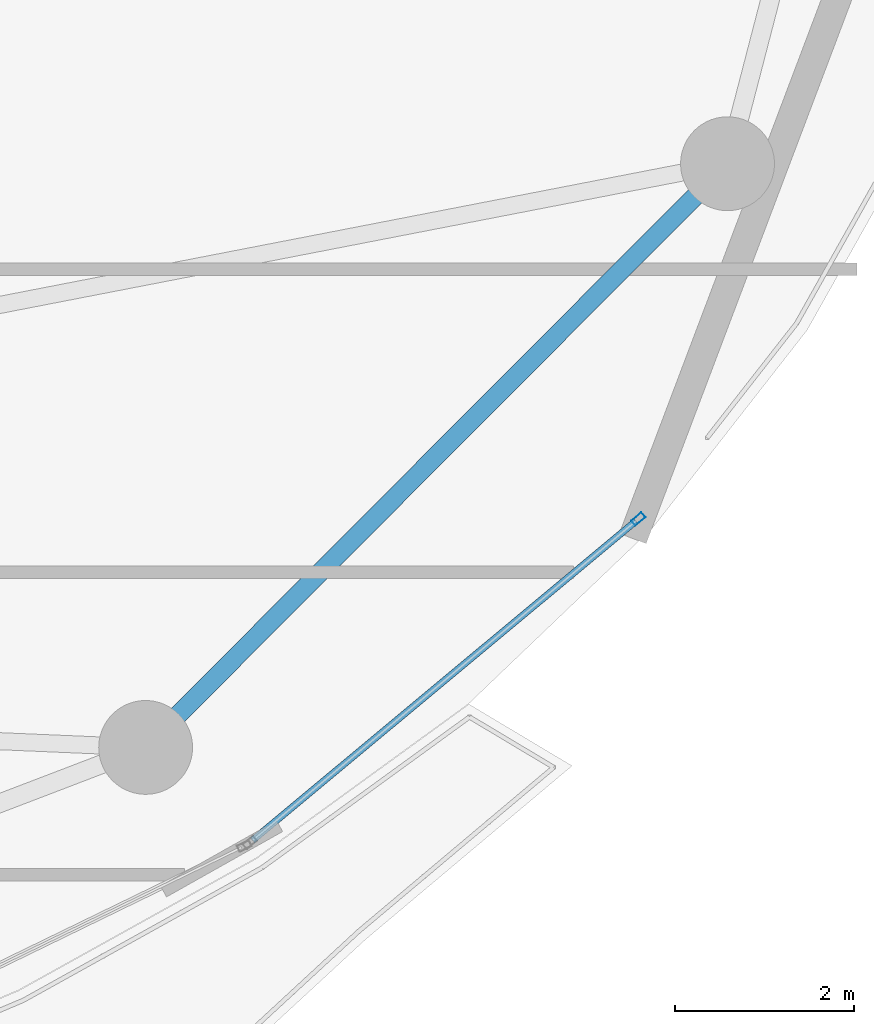
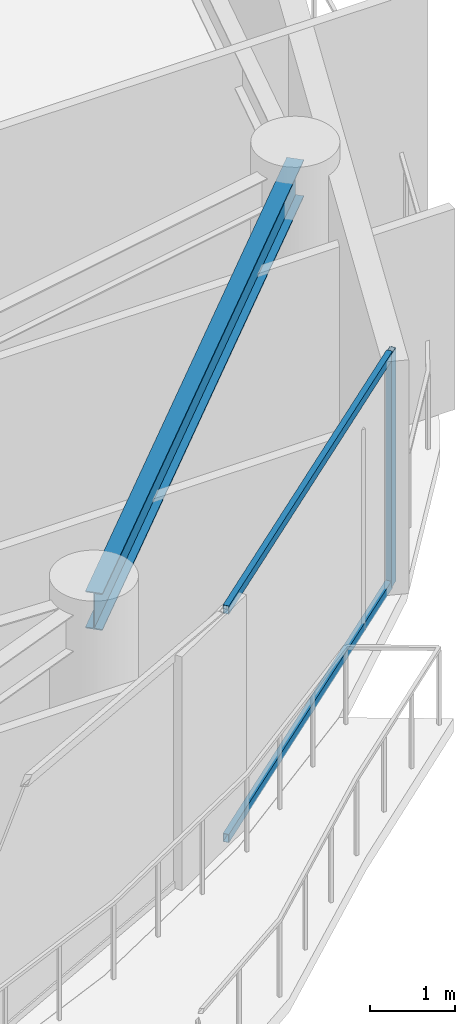
# One storey, part 14 of 31: 3 members, 1 beam, 1 element without a shape of its own.
"""IFC4 building model written with IfcOpenShell, lengths in metres."""

from ifc_helpers import new_model, si_unit, direction, frame, origin, origin_2d, place, context, subcontext, project, spatial, hollow_rectangle, i_section, extrude, material, layer, layer_set, material_profile, profile_set, type_object, element, aggregate, save


model = new_model("IFC4")

# Units and contexts
model_context = context("Model", 3, precision=1e-05, world=origin(), true_north=direction((0.0, 1.0)))
body_context = subcontext(model_context, "Body", "Model", "MODEL_VIEW")
ifc_project = project(units=[si_unit("LENGTHUNIT", "METRE"), si_unit("AREAUNIT", "SQUARE_METRE"), si_unit("VOLUMEUNIT", "CUBIC_METRE"), si_unit("PLANEANGLEUNIT", "RADIAN"), si_unit("MASSUNIT", "GRAM", prefix="KILO")], contexts=[model_context])

# Site, building, storey
site_placement = place(None, origin())
site = spatial("IfcSite", under=ifc_project, at=site_placement, CompositionType="ELEMENT")
building_placement = place(site_placement, origin())
building = spatial("IfcBuilding", under=site, at=building_placement, Name="Kazevale Care Tower and Concert Hall", CompositionType="ELEMENT")
storey_placement = place(building_placement, frame((0.0, 0.0, 210.0)))
storey = spatial("IfcBuildingStorey", under=building, at=storey_placement, Name="L55", CompositionType="ELEMENT", Elevation=210.0)

# Curtain wall, members
ifc_material_1 = material(Name="Aluminium 6063-T6 and Low-E Glass", Category="aluminium")
ifc_layer = layer(ifc_material_1, 0.179931640625)
ifc_layer_set = layer_set([ifc_layer], Name="Aluminium 6063-T6 and Low-E Glass")
curtain_wall_type = type_object("IfcCurtainWallType", Name="Sheltered Concave Balcony Curtain Wall CW-5", PredefinedType="NOTDEFINED", material=ifc_layer_set)
curtain_wall_placement = place(storey_placement, origin())
curtain_wall = element("IfcCurtainWall", 1, at=curtain_wall_placement, inside=storey, type_object=curtain_wall_type, Name="cw:L55:f02", PredefinedType="NOTDEFINED")
ifc_material_2 = material(Name="Aluminium 6063-T6", Category="aluminium")
ifc_material_profile_1 = material_profile(ifc_material_2, hollow_rectangle(XDim=0.074951171875, YDim=0.14990234375, WallThickness=0.00390625, at=origin_2d()), Name="ALU75x150x4")
ifc_profile_set_1 = profile_set([ifc_material_profile_1], Name="Aluminium 6063-T6")
member_type_1 = type_object("IfcMemberType", Name="CW-5 Mullion ALU75x150x4", PredefinedType="MULLION", material=ifc_profile_set_1)
member_1_placement = place(storey_placement, frame((71.76318359375, 25.2060546875, 0.0), z_axis=(0.0, 0.0, 1.0), x_axis=(0.639961217204, -0.768407210062, 0.0)))
member_1 = element("IfcMember", 2, at=member_1_placement, type_object=member_type_1, Name="CW-5 mullion 1", PredefinedType="MULLION", context=body_context, shape_type="SweptSolid", body=[
    extrude(hollow_rectangle(XDim=0.074951171875, YDim=0.14990234375, WallThickness=0.00390625, at=origin_2d()), origin(), (0.0, 0.0, 1.0), 3.360107421875),
])
ifc_material_profile_2 = material_profile(ifc_material_2, hollow_rectangle(XDim=0.074951171875, YDim=0.1201171875, WallThickness=0.00390625, at=origin_2d()), Name="ALU75x120x4")
ifc_profile_set_2 = profile_set([ifc_material_profile_2], Name="Aluminium 6063-T6")
member_type_2 = type_object("IfcMemberType", Name="CW-5 Transom ALU75x120x4", PredefinedType="USERDEFINED", material=ifc_profile_set_2)
member_2_placement = place(storey_placement, frame((71.734375, 25.181884765625, 0.03759765625), z_axis=(-0.768432829708, -0.639930454211, 0.0), x_axis=(0.639930454211, -0.768432829708, 0.0)))
member_2 = element("IfcMember", 3, at=member_2_placement, type_object=member_type_2, Name="CW-5 transom 1.1", ObjectType="TRANSOM", PredefinedType="USERDEFINED", context=body_context, shape_type="SweptSolid", body=[
    extrude(hollow_rectangle(XDim=0.074951171875, YDim=0.1201171875, WallThickness=0.00390625, at=origin_2d()), origin(), (0.0, 0.0, 1.0), 5.580078125),
])
member_3_placement = place(storey_placement, frame((71.734375, 25.181884765625, 3.322509765625), z_axis=(-0.768432829708, -0.639930454211, 0.0), x_axis=(0.639930454211, -0.768432829708, 0.0)))
member_3 = element("IfcMember", 4, at=member_3_placement, type_object=member_type_2, Name="CW-5 transom 1.2", ObjectType="TRANSOM", PredefinedType="USERDEFINED", context=body_context, shape_type="SweptSolid", body=[
    extrude(hollow_rectangle(XDim=0.074951171875, YDim=0.1201171875, WallThickness=0.00390625, at=origin_2d()), origin(), (0.0, 0.0, 1.0), 5.580078125),
])
aggregate(curtain_wall, [member_1, member_2, member_3])

# Beam
ifc_material_3 = material(Name="Steel ASTM A572 Gr 50", Category="steel")
ifc_material_profile_3 = material_profile(ifc_material_3, i_section(OverallWidth=0.208984375, OverallDepth=0.532958984375, WebThickness=0.01025390625, FlangeThickness=0.015625, at=origin_2d()), Name="W530x92")
ifc_profile_set_3 = profile_set([ifc_material_profile_3], Name="Steel ASTM A572 Gr 50")
beam_type = type_object("IfcBeamType", Name="Upper Ring Beam W530x92", PredefinedType="BEAM", material=ifc_profile_set_3)
beam_placement = place(storey_placement, frame((66.25, 22.64990234375, 3.093505859375), z_axis=(0.706020373708, 0.708191522054, 0.0), x_axis=(-0.708191522054, 0.706020373708, 0.0)))
element("IfcBeam", 5, at=beam_placement, inside=storey, type_object=beam_type, Name="beam:L55:ring:15", PredefinedType="BEAM", context=body_context, shape_type="SweptSolid", body=[
    extrude(i_section(OverallWidth=0.208984375, OverallDepth=0.532958984375, WebThickness=0.01025390625, FlangeThickness=0.015625, at=origin_2d()), origin(), (0.0, 0.0, 1.0), 9.220703125),
])

save(model, "model.ifc")
